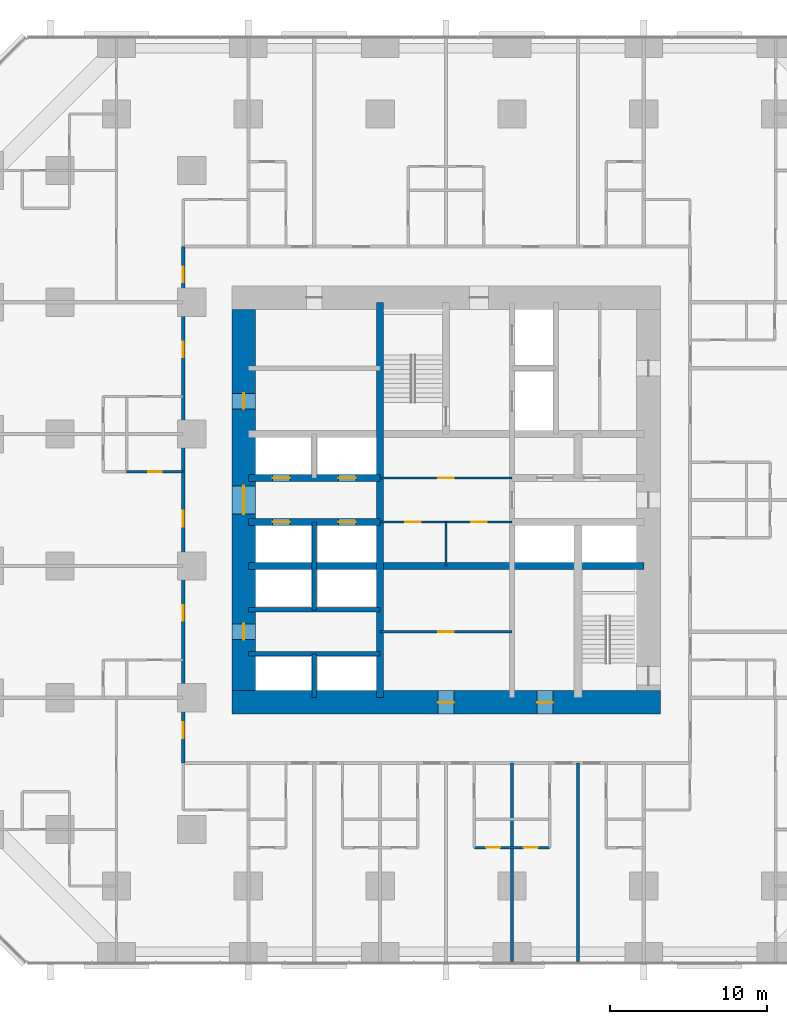
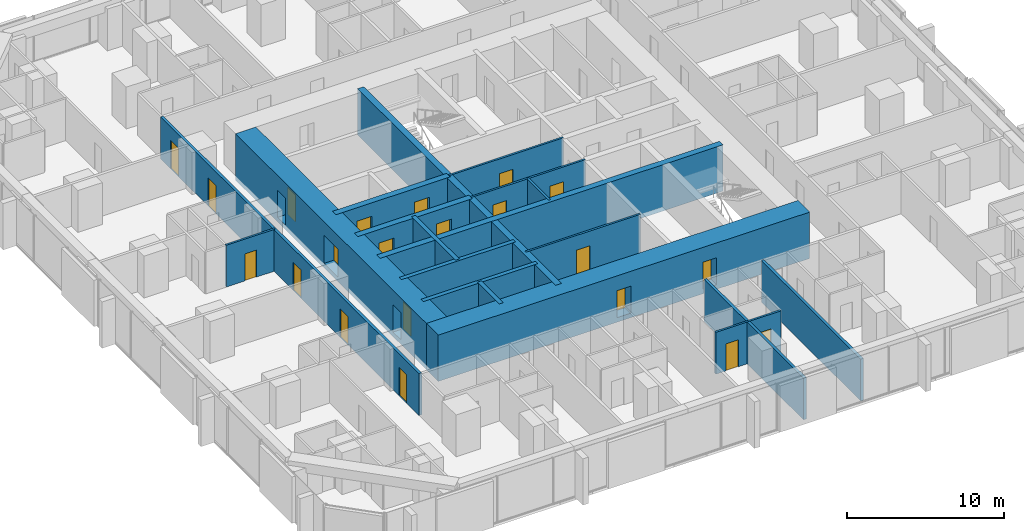
# One storey, part 12 of 17: 21 doors, 19 walls, 21 openings.
"""IFC4 building model written with IfcOpenShell, lengths in metres."""

from ifc_helpers import new_model, si_unit, direction, frame, frame_2d, origin, place, context, subcontext, project, spatial, rectangle, extrude, material, layer, layer_set, type_object, element, fill, save


model = new_model("IFC4")

# Units and contexts
model_context = context("Model", 3, precision=1e-05, world=origin(), true_north=direction((0.0, 1.0)))
body_context = subcontext(model_context, "Body", "Model", "MODEL_VIEW")
ifc_project = project(units=[si_unit("LENGTHUNIT", "METRE"), si_unit("AREAUNIT", "SQUARE_METRE"), si_unit("VOLUMEUNIT", "CUBIC_METRE"), si_unit("PLANEANGLEUNIT", "RADIAN"), si_unit("MASSUNIT", "GRAM", prefix="KILO")], contexts=[model_context])

# Site, building, storey
site_placement = place(None, origin())
site = spatial("IfcSite", under=ifc_project, at=site_placement, CompositionType="ELEMENT")
building_placement = place(site_placement, origin())
building = spatial("IfcBuilding", under=site, at=building_placement, Name="Dunama Terrace Hotel", CompositionType="ELEMENT")
storey_placement = place(building_placement, frame((0.0, 0.0, 70.199951171875)))
storey = spatial("IfcBuildingStorey", under=building, at=storey_placement, Name="L17", CompositionType="ELEMENT", Elevation=70.199951171875)

# Wall, opening, door
ifc_material_1 = material(Name="Gypsum board partition", Category="masonry")
ifc_layer_1 = layer(ifc_material_1, 0.14990234375)
ifc_layer_set_1 = layer_set([ifc_layer_1], Name="Bathroom partition 150")
wall_type_1 = type_object("IfcWallType", Name="Bathroom partition 150", PredefinedType="PARTITIONING", material=ifc_layer_set_1)
wall_1_placement = place(storey_placement, frame((9.050048828125, 31.199951171875, 0.0), z_axis=(0.0, 0.0, 1.0), x_axis=(1.0, 0.0, 0.0)))
wall_1 = element("IfcWall", 1, at=wall_1_placement, inside=storey, type_object=wall_type_1, Name="Bathroom partition 150 L17", PredefinedType="PARTITIONING", context=body_context, shape_type="SweptSolid", body=[
    extrude(rectangle(XDim=3.599853515625, YDim=0.14990234375, at=frame_2d((1.7998046875, 0.0))), origin(), (0.0, 0.0, 1.0), 3.25),
])
opening_1_placement = place(wall_1_placement, frame((1.375, 0.0, 0.0)))
opening_1 = element("IfcOpeningElement", 2, at=opening_1_placement, cuts=wall_1, Name="Opening L17-19-055", PredefinedType="OPENING", context=body_context, shape_type="SweptSolid", body=[
    extrude(rectangle(XDim=0.85009765625, YDim=2.10009765625, at=frame_2d((0.425048828125, 1.050048828125))), frame((0.0, 0.0849609375, 0.0), z_axis=(0.0, -1.0, 0.0), x_axis=(1.0, 0.0, 0.0)), (0.0, 0.0, 1.0), 0.169921875),
])
ifc_material_2 = material(Name="Timber door with steel frame", Category="steel")
door_type_1 = type_object("IfcDoorType", Name="Bathroom door 850", OperationType="SINGLE_SWING_LEFT", PredefinedType="DOOR", material=ifc_material_2)
door_1_placement = place(opening_1_placement, origin())
door_1 = element("IfcDoor", 3, at=door_1_placement, inside=storey, type_object=door_type_1, Name="Door to en-suite bathroom L17-19-055, type D2", OperationType="SINGLE_SWING_RIGHT", OverallHeight=2.10009765625, OverallWidth=0.85009765625, PredefinedType="DOOR", context=body_context, shape_type="SweptSolid", body=[
    extrude(rectangle(XDim=0.85009765625, YDim=2.10009765625, at=frame_2d((0.425048828125, 1.050048828125))), frame((0.0, 0.02490234375, 0.0), z_axis=(0.0, -1.0, 0.0), x_axis=(1.0, 0.0, 0.0)), (0.0, 0.0, 1.0), 0.050048828125),
])
fill(opening_1, door_1)

# Walls
ifc_material_3 = material(Name="Concrete C50/60", Category="concrete")
ifc_layer_2 = layer(ifc_material_3, 0.300048828125)
ifc_layer_set_2 = layer_set([ifc_layer_2], Name="Core inner wall 300")
wall_type_2 = type_object("IfcWallType", Name="Core inner wall 300", PredefinedType="SHEAR", material=ifc_layer_set_2)
wall_2_placement = place(storey_placement, frame((21.0, 16.800048828125, -0.349853515625), z_axis=(0.0, 0.0, 1.0), x_axis=(0.0, 1.0, 0.0)))
element("IfcWall", 4, at=wall_2_placement, inside=storey, type_object=wall_type_2, Name="Core inner wall 300 L17", PredefinedType="SHEAR", context=body_context, shape_type="SweptSolid", body=[
    extrude(rectangle(XDim=2.800048828125, YDim=0.300048828125, at=frame_2d((1.39990234375, 0.0))), origin(), (0.0, 0.0, 1.0), 3.599853515625),
])
wall_3_placement = place(storey_placement, frame((21.0, 22.39990234375, -0.349853515625), z_axis=(0.0, 0.0, 1.0), x_axis=(0.0, 1.0, 0.0)))
element("IfcWall", 5, at=wall_3_placement, inside=storey, type_object=wall_type_2, Name="Core inner wall 300 L17", PredefinedType="SHEAR", context=body_context, shape_type="SweptSolid", body=[
    extrude(rectangle(XDim=5.60009765625, YDim=0.300048828125, at=frame_2d((2.800048828125, 0.0))), origin(), (0.0, 0.0, 1.0), 3.599853515625),
])
for number, where, z_axis, x_axis, name in (
    (6, (16.800048828125, 19.60009765625, -0.349853515625), (0.0, 0.0, 1.0), (1.0, 0.0, 0.0), "Core inner wall 300 L17"),
    (7, (16.800048828125, 22.39990234375, -0.349853515625), (0.0, 0.0, 1.0), (1.0, 0.0, 0.0), "Core inner wall 300 L17"),
):
    element("IfcWall", number, at=place(storey_placement, frame(where, z_axis=z_axis, x_axis=x_axis)), inside=storey, type_object=wall_type_2, Name=name, PredefinedType="SHEAR", context=body_context, shape_type="SweptSolid", body=[
        extrude(rectangle(XDim=8.39990234375, YDim=0.300048828125, at=frame_2d((4.199951171875, 0.0))), origin(), (0.0, 0.0, 1.0), 3.599853515625),
    ])
ifc_material_4 = material(Name="Concrete C50/60", Category="concrete")
ifc_layer_3 = layer(ifc_material_4, 0.449951171875)
ifc_layer_set_3 = layer_set([ifc_layer_3], Name="Core inner wall 450")
wall_type_3 = type_object("IfcWallType", Name="Core inner wall 450", PredefinedType="SHEAR", material=ifc_layer_set_3)
for number, where, z_axis, x_axis, name in (
    (8, (25.199951171875, 16.800048828125, -0.349853515625), (0.0, 0.0, 1.0), (0.0, 1.0, 0.0), "Core inner wall 450 L17"),
    (9, (16.800048828125, 25.199951171875, -0.349853515625), (0.0, 0.0, 1.0), (1.0, 0.0, 0.0), "Core inner wall 450 L17"),
):
    element("IfcWall", number, at=place(storey_placement, frame(where, z_axis=z_axis, x_axis=x_axis)), inside=storey, type_object=wall_type_3, Name=name, PredefinedType="SHEAR", context=body_context, shape_type="SweptSolid", body=[
        extrude(rectangle(XDim=25.199951171875, YDim=0.449951171875, at=frame_2d((12.60009765625, 0.0))), origin(), (0.0, 0.0, 1.0), 3.599853515625),
    ])

# Wall, openings, doors
wall_4_placement = place(storey_placement, frame((16.800048828125, 28.0, -0.349853515625), z_axis=(0.0, 0.0, 1.0), x_axis=(1.0, 0.0, 0.0)))
wall_4 = element("IfcWall", 10, at=wall_4_placement, inside=storey, type_object=wall_type_3, Name="Core inner wall 450 L17", PredefinedType="SHEAR", context=body_context, shape_type="SweptSolid", body=[
    extrude(rectangle(XDim=8.39990234375, YDim=0.449951171875, at=frame_2d((4.199951171875, 0.0))), origin(), (0.0, 0.0, 1.0), 3.599853515625),
])
opening_2_placement = place(wall_4_placement, frame((1.550048828125, 0.0, 0.35009765625)))
opening_2 = element("IfcOpeningElement", 11, at=opening_2_placement, cuts=wall_4, Name="Opening L17-19-003", PredefinedType="OPENING", context=body_context, shape_type="SweptSolid", body=[
    extrude(rectangle(XDim=1.10009765625, YDim=2.199951171875, at=frame_2d((0.550048828125, 1.10009765625))), frame((0.0, 0.23486328125, 0.0), z_axis=(0.0, -1.0, 0.0), x_axis=(1.0, 0.0, 0.0)), (0.0, 0.0, 1.0), 0.469970703125),
])
opening_3_placement = place(wall_4_placement, frame((5.75, 0.0, 0.35009765625)))
opening_3 = element("IfcOpeningElement", 12, at=opening_3_placement, cuts=wall_4, Name="Opening L17-19-004", PredefinedType="OPENING", context=body_context, shape_type="SweptSolid", body=[
    extrude(rectangle(XDim=1.10009765625, YDim=2.199951171875, at=frame_2d((0.550048828125, 1.10009765625))), frame((0.0, 0.23486328125, 0.0), z_axis=(0.0, -1.0, 0.0), x_axis=(1.0, 0.0, 0.0)), (0.0, 0.0, 1.0), 0.469970703125),
])
ifc_material_5 = material(Name="Stainless steel lift door", Category="steel")
door_type_2 = type_object("IfcDoorType", Name="Lift landing door 1100", OperationType="DOUBLE_DOOR_SLIDING", PredefinedType="DOOR", material=ifc_material_5)
door_2_placement = place(opening_2_placement, origin())
door_2 = element("IfcDoor", 13, at=door_2_placement, inside=storey, type_object=door_type_2, Name="Landing door PA1 L17-19-003, type LD1", OperationType="DOUBLE_DOOR_SLIDING", OverallHeight=2.199951171875, OverallWidth=1.10009765625, PredefinedType="DOOR", context=body_context, shape_type="SweptSolid", body=[
    extrude(rectangle(XDim=1.10009765625, YDim=2.199951171875, at=frame_2d((0.550048828125, 1.10009765625))), frame((0.0, 0.02490234375, 0.0), z_axis=(0.0, -1.0, 0.0), x_axis=(1.0, 0.0, 0.0)), (0.0, 0.0, 1.0), 0.050048828125),
])
fill(opening_2, door_2)
door_3_placement = place(opening_3_placement, origin())
door_3 = element("IfcDoor", 14, at=door_3_placement, inside=storey, type_object=door_type_2, Name="Landing door PA2 L17-19-004, type LD1", OperationType="DOUBLE_DOOR_SLIDING", OverallHeight=2.199951171875, OverallWidth=1.10009765625, PredefinedType="DOOR", context=body_context, shape_type="SweptSolid", body=[
    extrude(rectangle(XDim=1.10009765625, YDim=2.199951171875, at=frame_2d((0.550048828125, 1.10009765625))), frame((0.0, 0.02490234375, 0.0), z_axis=(0.0, -1.0, 0.0), x_axis=(1.0, 0.0, 0.0)), (0.0, 0.0, 1.0), 0.050048828125),
])
fill(opening_3, door_3)

wall_5_placement = place(storey_placement, frame((16.800048828125, 30.800048828125, -0.349853515625), z_axis=(0.0, 0.0, 1.0), x_axis=(1.0, 0.0, 0.0)))
wall_5 = element("IfcWall", 15, at=wall_5_placement, inside=storey, type_object=wall_type_3, Name="Core inner wall 450 L17", PredefinedType="SHEAR", context=body_context, shape_type="SweptSolid", body=[
    extrude(rectangle(XDim=8.39990234375, YDim=0.449951171875, at=frame_2d((4.199951171875, 0.0))), origin(), (0.0, 0.0, 1.0), 3.599853515625),
])
opening_4_placement = place(wall_5_placement, frame((1.550048828125, 0.0, 0.35009765625)))
opening_4 = element("IfcOpeningElement", 16, at=opening_4_placement, cuts=wall_5, Name="Opening L17-19-005", PredefinedType="OPENING", context=body_context, shape_type="SweptSolid", body=[
    extrude(rectangle(XDim=1.10009765625, YDim=2.199951171875, at=frame_2d((0.550048828125, 1.10009765625))), frame((0.0, 0.23486328125, 0.0), z_axis=(0.0, -1.0, 0.0), x_axis=(1.0, 0.0, 0.0)), (0.0, 0.0, 1.0), 0.469970703125),
])
opening_5_placement = place(wall_5_placement, frame((5.75, 0.0, 0.35009765625)))
opening_5 = element("IfcOpeningElement", 17, at=opening_5_placement, cuts=wall_5, Name="Opening L17-19-006", PredefinedType="OPENING", context=body_context, shape_type="SweptSolid", body=[
    extrude(rectangle(XDim=1.10009765625, YDim=2.199951171875, at=frame_2d((0.550048828125, 1.10009765625))), frame((0.0, 0.23486328125, 0.0), z_axis=(0.0, -1.0, 0.0), x_axis=(1.0, 0.0, 0.0)), (0.0, 0.0, 1.0), 0.469970703125),
])
door_4_placement = place(opening_4_placement, origin())
door_4 = element("IfcDoor", 18, at=door_4_placement, inside=storey, type_object=door_type_2, Name="Landing door PA3 L17-19-005, type LD1", OperationType="DOUBLE_DOOR_SLIDING", OverallHeight=2.199951171875, OverallWidth=1.10009765625, PredefinedType="DOOR", context=body_context, shape_type="SweptSolid", body=[
    extrude(rectangle(XDim=1.10009765625, YDim=2.199951171875, at=frame_2d((0.550048828125, 1.10009765625))), frame((0.0, 0.02490234375, 0.0), z_axis=(0.0, -1.0, 0.0), x_axis=(1.0, 0.0, 0.0)), (0.0, 0.0, 1.0), 0.050048828125),
])
fill(opening_4, door_4)
door_5_placement = place(opening_5_placement, origin())
door_5 = element("IfcDoor", 19, at=door_5_placement, inside=storey, type_object=door_type_2, Name="Landing door PA4 L17-19-006, type LD1", OperationType="DOUBLE_DOOR_SLIDING", OverallHeight=2.199951171875, OverallWidth=1.10009765625, PredefinedType="DOOR", context=body_context, shape_type="SweptSolid", body=[
    extrude(rectangle(XDim=1.10009765625, YDim=2.199951171875, at=frame_2d((0.550048828125, 1.10009765625))), frame((0.0, 0.02490234375, 0.0), z_axis=(0.0, -1.0, 0.0), x_axis=(1.0, 0.0, 0.0)), (0.0, 0.0, 1.0), 0.050048828125),
])
fill(opening_5, door_5)

ifc_material_6 = material(Name="Concrete C60/75", Category="concrete")
ifc_layer_4 = layer(ifc_material_6, 1.5)
ifc_layer_set_4 = layer_set([ifc_layer_4], Name="Core wall 1500")
wall_type_4 = type_object("IfcWallType", Name="Core wall 1500", PredefinedType="SHEAR", material=ifc_layer_set_4)
wall_6_placement = place(storey_placement, frame((15.75, 16.5, -0.349853515625), z_axis=(0.0, 0.0, 1.0), x_axis=(1.0, 0.0, 0.0)))
wall_6 = element("IfcWall", 20, at=wall_6_placement, inside=storey, type_object=wall_type_4, Name="Core wall south L17", PredefinedType="SHEAR", context=body_context, shape_type="SweptSolid", body=[
    extrude(rectangle(XDim=27.300048828125, YDim=1.5, at=frame_2d((13.64990234375, 0.0))), origin(), (0.0, 0.0, 1.0), 3.599853515625),
])
opening_6_placement = place(wall_6_placement, frame((13.14990234375, 0.0, 0.35009765625)))
opening_6 = element("IfcOpeningElement", 21, at=opening_6_placement, cuts=wall_6, Name="Opening L17-19-098", PredefinedType="OPENING", context=body_context, shape_type="SweptSolid", body=[
    extrude(rectangle(XDim=1.0, YDim=2.10009765625, at=frame_2d((0.5, 1.050048828125))), frame((0.0, 0.760009765625, 0.0), z_axis=(0.0, -1.0, 0.0), x_axis=(1.0, 0.0, 0.0)), (0.0, 0.0, 1.0), 1.52001953125),
])
opening_7_placement = place(wall_6_placement, frame((19.449951171875, 0.0, 0.35009765625)))
opening_7 = element("IfcOpeningElement", 22, at=opening_7_placement, cuts=wall_6, Name="Opening L17-19-100", PredefinedType="OPENING", context=body_context, shape_type="SweptSolid", body=[
    extrude(rectangle(XDim=1.0, YDim=2.10009765625, at=frame_2d((0.5, 1.050048828125))), frame((0.0, 0.760009765625, 0.0), z_axis=(0.0, -1.0, 0.0), x_axis=(1.0, 0.0, 0.0)), (0.0, 0.0, 1.0), 1.52001953125),
])
ifc_material_7 = material(Name="Timber door with steel frame", Category="steel")
door_type_3 = type_object("IfcDoorType", Name="Service door 1000", OperationType="SINGLE_SWING_LEFT", PredefinedType="DOOR", material=ifc_material_7)
door_6_placement = place(opening_6_placement, origin())
door_6 = element("IfcDoor", 23, at=door_6_placement, inside=storey, type_object=door_type_3, Name="Door to corridor air handling room L17-19-098, type D7", OperationType="SINGLE_SWING_LEFT", OverallHeight=2.10009765625, OverallWidth=1.0, PredefinedType="DOOR", context=body_context, shape_type="SweptSolid", body=[
    extrude(rectangle(XDim=1.0, YDim=2.10009765625, at=frame_2d((0.5, 1.050048828125))), frame((0.0, 0.02490234375, 0.0), z_axis=(0.0, -1.0, 0.0), x_axis=(1.0, 0.0, 0.0)), (0.0, 0.0, 1.0), 0.050048828125),
])
fill(opening_6, door_6)
door_7_placement = place(opening_7_placement, origin())
door_7 = element("IfcDoor", 24, at=door_7_placement, inside=storey, type_object=door_type_3, Name="Door to water riser room L17-19-100, type D7", OperationType="SINGLE_SWING_RIGHT", OverallHeight=2.10009765625, OverallWidth=1.0, PredefinedType="DOOR", context=body_context, shape_type="SweptSolid", body=[
    extrude(rectangle(XDim=1.0, YDim=2.10009765625, at=frame_2d((0.5, 1.050048828125))), frame((0.0, 0.02490234375, 0.0), z_axis=(0.0, -1.0, 0.0), x_axis=(1.0, 0.0, 0.0)), (0.0, 0.0, 1.0), 0.050048828125),
])
fill(opening_7, door_7)

wall_7_placement = place(storey_placement, frame((16.5, 41.550048828125, -0.349853515625), z_axis=(0.0, 0.0, 1.0), x_axis=(0.0, -1.0, 0.0)))
wall_7 = element("IfcWall", 25, at=wall_7_placement, inside=storey, type_object=wall_type_4, Name="Core wall west L17", PredefinedType="SHEAR", context=body_context, shape_type="SweptSolid", body=[
    extrude(rectangle(XDim=24.300048828125, YDim=1.5, at=frame_2d((12.14990234375, 0.0))), origin(), (0.0, 0.0, 1.0), 3.599853515625),
])
opening_8_placement = place(wall_7_placement, frame((11.25, 0.0, 0.35009765625)))
opening_8 = element("IfcOpeningElement", 26, at=opening_8_placement, cuts=wall_7, Name="Opening L17-19-084", PredefinedType="OPENING", context=body_context, shape_type="SweptSolid", body=[
    extrude(rectangle(XDim=1.800048828125, YDim=2.199951171875, at=frame_2d((0.89990234375, 1.10009765625))), frame((0.0, 0.760009765625, 0.0), z_axis=(0.0, -1.0, 0.0), x_axis=(1.0, 0.0, 0.0)), (0.0, 0.0, 1.0), 1.52001953125),
])
opening_9_placement = place(wall_7_placement, frame((20.050048828125, 0.0, 0.35009765625)))
opening_9 = element("IfcOpeningElement", 27, at=opening_9_placement, cuts=wall_7, Name="Opening L17-19-085", PredefinedType="OPENING", context=body_context, shape_type="SweptSolid", body=[
    extrude(rectangle(XDim=1.0, YDim=2.10009765625, at=frame_2d((0.5, 1.050048828125))), frame((0.0, 0.760009765625, 0.0), z_axis=(0.0, -1.0, 0.0), x_axis=(1.0, 0.0, 0.0)), (0.0, 0.0, 1.0), 1.52001953125),
])
opening_10_placement = place(wall_7_placement, frame((5.35009765625, 0.0, 0.35009765625)))
opening_10 = element("IfcOpeningElement", 28, at=opening_10_placement, cuts=wall_7, Name="Opening L17-19-086", PredefinedType="OPENING", context=body_context, shape_type="SweptSolid", body=[
    extrude(rectangle(XDim=1.0, YDim=2.10009765625, at=frame_2d((0.5, 1.050048828125))), frame((0.0, 0.760009765625, 0.0), z_axis=(0.0, -1.0, 0.0), x_axis=(1.0, 0.0, 0.0)), (0.0, 0.0, 1.0), 1.52001953125),
])
ifc_material_8 = material(Name="Timber door with steel frame", Category="steel")
door_type_4 = type_object("IfcDoorType", Name="Lift lobby double door 1800", OperationType="DOUBLE_DOOR_DOUBLE_SWING", PredefinedType="DOOR", material=ifc_material_8)
door_8_placement = place(opening_8_placement, origin())
door_8 = element("IfcDoor", 29, at=door_8_placement, inside=storey, type_object=door_type_4, Name="Door to lift lobby L17-19-084, type D3", OperationType="DOUBLE_DOOR_DOUBLE_SWING", OverallHeight=2.199951171875, OverallWidth=1.800048828125, PredefinedType="DOOR", context=body_context, shape_type="SweptSolid", body=[
    extrude(rectangle(XDim=1.800048828125, YDim=2.199951171875, at=frame_2d((0.89990234375, 1.10009765625))), frame((0.0, 0.02490234375, 0.0), z_axis=(0.0, -1.0, 0.0), x_axis=(1.0, 0.0, 0.0)), (0.0, 0.0, 1.0), 0.050048828125),
])
fill(opening_8, door_8)
door_9_placement = place(opening_9_placement, origin())
door_9 = element("IfcDoor", 30, at=door_9_placement, inside=storey, type_object=door_type_3, Name="Door to service lobby L17-19-085, type D7", OperationType="SINGLE_SWING_RIGHT", OverallHeight=2.10009765625, OverallWidth=1.0, PredefinedType="DOOR", context=body_context, shape_type="SweptSolid", body=[
    extrude(rectangle(XDim=1.0, YDim=2.10009765625, at=frame_2d((0.5, 1.050048828125))), frame((0.0, 0.02490234375, 0.0), z_axis=(0.0, -1.0, 0.0), x_axis=(1.0, 0.0, 0.0)), (0.0, 0.0, 1.0), 0.050048828125),
])
fill(opening_9, door_9)
door_10_placement = place(opening_10_placement, origin())
door_10 = element("IfcDoor", 31, at=door_10_placement, inside=storey, type_object=door_type_3, Name="Door to electrical room L17-19-086, type D7", OperationType="SINGLE_SWING_RIGHT", OverallHeight=2.10009765625, OverallWidth=1.0, PredefinedType="DOOR", context=body_context, shape_type="SweptSolid", body=[
    extrude(rectangle(XDim=1.0, YDim=2.10009765625, at=frame_2d((0.5, 1.050048828125))), frame((0.0, 0.02490234375, 0.0), z_axis=(0.0, -1.0, 0.0), x_axis=(1.0, 0.0, 0.0)), (0.0, 0.0, 1.0), 0.050048828125),
])
fill(opening_10, door_10)

ifc_material_9 = material(Name="Concrete blockwork", Category="masonry")
ifc_layer_5 = layer(ifc_material_9, 0.199951171875)
ifc_layer_set_5 = layer_set([ifc_layer_5], Name="Corridor partition 200")
wall_type_5 = type_object("IfcWallType", Name="Corridor partition 200", PredefinedType="PARTITIONING", material=ifc_layer_set_5)
wall_8_placement = place(storey_placement, frame((12.64990234375, 12.64990234375, 0.0), z_axis=(0.0, 0.0, 1.0), x_axis=(0.0, 1.0, 0.0)))
wall_8 = element("IfcWall", 32, at=wall_8_placement, inside=storey, type_object=wall_type_5, Name="Corridor partition 200 L17", PredefinedType="PARTITIONING", context=body_context, shape_type="SweptSolid", body=[
    extrude(rectangle(XDim=32.900146484375, YDim=0.199951171875, at=frame_2d((16.4501953125, 0.0))), origin(), (0.0, 0.0, 1.0), 3.25),
])
opening_11_placement = place(wall_8_placement, frame((9.050048828125, 0.0, 0.0)))
opening_11 = element("IfcOpeningElement", 33, at=opening_11_placement, cuts=wall_8, Name="Opening L17-19-051", PredefinedType="OPENING", context=body_context, shape_type="SweptSolid", body=[
    extrude(rectangle(XDim=1.0, YDim=2.199951171875, at=frame_2d((0.5, 1.10009765625))), frame((0.0, 0.10986328125, 0.0), z_axis=(0.0, -1.0, 0.0), x_axis=(1.0, 0.0, 0.0)), (0.0, 0.0, 1.0), 0.219970703125),
])
opening_12_placement = place(wall_8_placement, frame((15.050048828125, 0.0, 0.0)))
opening_12 = element("IfcOpeningElement", 34, at=opening_12_placement, cuts=wall_8, Name="Opening L17-19-054", PredefinedType="OPENING", context=body_context, shape_type="SweptSolid", body=[
    extrude(rectangle(XDim=1.0, YDim=2.199951171875, at=frame_2d((0.5, 1.10009765625))), frame((0.0, 0.10986328125, 0.0), z_axis=(0.0, -1.0, 0.0), x_axis=(1.0, 0.0, 0.0)), (0.0, 0.0, 1.0), 0.219970703125),
])
opening_13_placement = place(wall_8_placement, frame((25.85009765625, 0.0, 0.0)))
opening_13 = element("IfcOpeningElement", 35, at=opening_13_placement, cuts=wall_8, Name="Opening L17-19-057", PredefinedType="OPENING", context=body_context, shape_type="SweptSolid", body=[
    extrude(rectangle(XDim=1.0, YDim=2.199951171875, at=frame_2d((0.5, 1.10009765625))), frame((0.0, 0.10986328125, 0.0), z_axis=(0.0, -1.0, 0.0), x_axis=(1.0, 0.0, 0.0)), (0.0, 0.0, 1.0), 0.219970703125),
])
opening_14_placement = place(wall_8_placement, frame((1.574951171875, 0.0, 0.0)))
opening_14 = element("IfcOpeningElement", 36, at=opening_14_placement, cuts=wall_8, Name="Opening L17-19-060", PredefinedType="OPENING", context=body_context, shape_type="SweptSolid", body=[
    extrude(rectangle(XDim=1.0, YDim=2.199951171875, at=frame_2d((0.5, 1.10009765625))), frame((0.0, 0.10986328125, 0.0), z_axis=(0.0, -1.0, 0.0), x_axis=(1.0, 0.0, 0.0)), (0.0, 0.0, 1.0), 0.219970703125),
])
opening_15_placement = place(wall_8_placement, frame((30.625, 0.0, 0.0)))
opening_15 = element("IfcOpeningElement", 37, at=opening_15_placement, cuts=wall_8, Name="Opening L17-19-078", PredefinedType="OPENING", context=body_context, shape_type="SweptSolid", body=[
    extrude(rectangle(XDim=1.0, YDim=2.199951171875, at=frame_2d((0.5, 1.10009765625))), frame((0.0, 0.10986328125, 0.0), z_axis=(0.0, -1.0, 0.0), x_axis=(1.0, 0.0, 0.0)), (0.0, 0.0, 1.0), 0.219970703125),
])
ifc_material_10 = material(Name="Timber door with steel frame", Category="steel")
door_type_5 = type_object("IfcDoorType", Name="Guest room door 1000", OperationType="SINGLE_SWING_LEFT", PredefinedType="DOOR", material=ifc_material_10)
door_11_placement = place(opening_11_placement, origin())
door_11 = element("IfcDoor", 38, at=door_11_placement, inside=storey, type_object=door_type_5, Name="Door to junior suite L17-19-051, type D1", OperationType="SINGLE_SWING_RIGHT", OverallHeight=2.199951171875, OverallWidth=1.0, PredefinedType="DOOR", context=body_context, shape_type="SweptSolid", body=[
    extrude(rectangle(XDim=1.0, YDim=2.199951171875, at=frame_2d((0.5, 1.10009765625))), frame((0.0, 0.02490234375, 0.0), z_axis=(0.0, -1.0, 0.0), x_axis=(1.0, 0.0, 0.0)), (0.0, 0.0, 1.0), 0.050048828125),
])
fill(opening_11, door_11)
door_12_placement = place(opening_12_placement, origin())
door_12 = element("IfcDoor", 39, at=door_12_placement, inside=storey, type_object=door_type_5, Name="Door to junior suite L17-19-054, type D1", OperationType="SINGLE_SWING_LEFT", OverallHeight=2.199951171875, OverallWidth=1.0, PredefinedType="DOOR", context=body_context, shape_type="SweptSolid", body=[
    extrude(rectangle(XDim=1.0, YDim=2.199951171875, at=frame_2d((0.5, 1.10009765625))), frame((0.0, 0.02490234375, 0.0), z_axis=(0.0, -1.0, 0.0), x_axis=(1.0, 0.0, 0.0)), (0.0, 0.0, 1.0), 0.050048828125),
])
fill(opening_12, door_12)
door_13_placement = place(opening_13_placement, origin())
door_13 = element("IfcDoor", 40, at=door_13_placement, inside=storey, type_object=door_type_5, Name="Door to junior suite L17-19-057, type D1", OperationType="SINGLE_SWING_RIGHT", OverallHeight=2.199951171875, OverallWidth=1.0, PredefinedType="DOOR", context=body_context, shape_type="SweptSolid", body=[
    extrude(rectangle(XDim=1.0, YDim=2.199951171875, at=frame_2d((0.5, 1.10009765625))), frame((0.0, 0.02490234375, 0.0), z_axis=(0.0, -1.0, 0.0), x_axis=(1.0, 0.0, 0.0)), (0.0, 0.0, 1.0), 0.050048828125),
])
fill(opening_13, door_13)
door_14_placement = place(opening_14_placement, origin())
door_14 = element("IfcDoor", 41, at=door_14_placement, inside=storey, type_object=door_type_5, Name="Door to corner suite living room L17-19-060, type D1", OperationType="SINGLE_SWING_RIGHT", OverallHeight=2.199951171875, OverallWidth=1.0, PredefinedType="DOOR", context=body_context, shape_type="SweptSolid", body=[
    extrude(rectangle(XDim=1.0, YDim=2.199951171875, at=frame_2d((0.5, 1.10009765625))), frame((0.0, 0.02490234375, 0.0), z_axis=(0.0, -1.0, 0.0), x_axis=(1.0, 0.0, 0.0)), (0.0, 0.0, 1.0), 0.050048828125),
])
fill(opening_14, door_14)
door_15_placement = place(opening_15_placement, origin())
door_15 = element("IfcDoor", 42, at=door_15_placement, inside=storey, type_object=door_type_5, Name="Door to corner suite living room L17-19-078, type D1", OperationType="SINGLE_SWING_LEFT", OverallHeight=2.199951171875, OverallWidth=1.0, PredefinedType="DOOR", context=body_context, shape_type="SweptSolid", body=[
    extrude(rectangle(XDim=1.0, YDim=2.199951171875, at=frame_2d((0.5, 1.10009765625))), frame((0.0, 0.02490234375, 0.0), z_axis=(0.0, -1.0, 0.0), x_axis=(1.0, 0.0, 0.0)), (0.0, 0.0, 1.0), 0.050048828125),
])
fill(opening_15, door_15)

# Walls
ifc_material_11 = material(Name="Concrete blockwork", Category="masonry")
ifc_layer_6 = layer(ifc_material_11, 0.199951171875)
ifc_layer_set_6 = layer_set([ifc_layer_6], Name="Party wall 200")
wall_type_6 = type_object("IfcWallType", Name="Party wall 200", PredefinedType="PARTITIONING", material=ifc_layer_set_6)
for number, where, z_axis, x_axis, name in (
    (43, (33.60009765625, -0.008056640625, 0.0), (0.0, 0.0, 1.0), (0.0, 1.0, 0.0), "Party wall 200 L17"),
    (44, (37.800048828125, -0.008056640625, 0.0), (0.0, 0.0, 1.0), (0.0, 1.0, 0.0), "Party wall 200 L17"),
):
    element("IfcWall", number, at=place(storey_placement, frame(where, z_axis=z_axis, x_axis=x_axis)), inside=storey, type_object=wall_type_6, Name=name, PredefinedType="PARTITIONING", context=body_context, shape_type="SweptSolid", body=[
        extrude(rectangle(XDim=12.657958984375, YDim=0.199951171875, at=frame_2d((6.3291015625, 0.0))), origin(), (0.0, 0.0, 1.0), 3.25),
    ])
ifc_material_12 = material(Name="Gypsum board partition", Category="masonry")
ifc_layer_7 = layer(ifc_material_12, 0.14990234375)
ifc_layer_set_7 = layer_set([ifc_layer_7], Name="Room partition 150")
wall_type_7 = type_object("IfcWallType", Name="Room partition 150", PredefinedType="PARTITIONING", material=ifc_layer_set_7)
wall_9_placement = place(storey_placement, frame((29.39990234375, 25.199951171875, 0.0), z_axis=(0.0, 0.0, 1.0), x_axis=(0.0, 1.0, 0.0)))
element("IfcWall", 45, at=wall_9_placement, inside=storey, type_object=wall_type_7, Name="Room partition 150 L17", PredefinedType="PARTITIONING", context=body_context, shape_type="SweptSolid", body=[
    extrude(rectangle(XDim=2.800048828125, YDim=0.14990234375, at=frame_2d((1.39990234375, 0.0))), origin(), (0.0, 0.0, 1.0), 3.25),
])

# Wall, openings, doors
wall_10_placement = place(storey_placement, frame((31.199951171875, 7.25, 0.0), z_axis=(0.0, 0.0, 1.0), x_axis=(1.0, 0.0, 0.0)))
wall_10 = element("IfcWall", 46, at=wall_10_placement, inside=storey, type_object=wall_type_7, Name="Room partition 150 L17", PredefinedType="PARTITIONING", context=body_context, shape_type="SweptSolid", body=[
    extrude(rectangle(XDim=4.800048828125, YDim=0.14990234375, at=frame_2d((2.39990234375, 0.0))), origin(), (0.0, 0.0, 1.0), 3.25),
])
opening_16_placement = place(wall_10_placement, frame((0.75, 0.0, 0.0)))
opening_16 = element("IfcOpeningElement", 47, at=opening_16_placement, cuts=wall_10, Name="Opening L17-19-020", PredefinedType="OPENING", context=body_context, shape_type="SweptSolid", body=[
    extrude(rectangle(XDim=0.89990234375, YDim=2.10009765625, at=frame_2d((0.449951171875, 1.050048828125))), frame((0.0, 0.0849609375, 0.0), z_axis=(0.0, -1.0, 0.0), x_axis=(1.0, 0.0, 0.0)), (0.0, 0.0, 1.0), 0.169921875),
])
opening_17_placement = place(wall_10_placement, frame((3.14990234375, 0.0, 0.0)))
opening_17 = element("IfcOpeningElement", 48, at=opening_17_placement, cuts=wall_10, Name="Opening L17-19-023", PredefinedType="OPENING", context=body_context, shape_type="SweptSolid", body=[
    extrude(rectangle(XDim=0.89990234375, YDim=2.10009765625, at=frame_2d((0.449951171875, 1.050048828125))), frame((0.0, 0.0849609375, 0.0), z_axis=(0.0, -1.0, 0.0), x_axis=(1.0, 0.0, 0.0)), (0.0, 0.0, 1.0), 0.169921875),
])
ifc_material_13 = material(Name="Timber door with steel frame", Category="steel")
door_type_6 = type_object("IfcDoorType", Name="Suite internal door 900", OperationType="SINGLE_SWING_LEFT", PredefinedType="DOOR", material=ifc_material_13)
door_16_placement = place(opening_16_placement, origin())
door_16 = element("IfcDoor", 49, at=door_16_placement, inside=storey, type_object=door_type_6, Name="Door to walk-in wardrobe L17-19-020, type D16", OperationType="SINGLE_SWING_RIGHT", OverallHeight=2.10009765625, OverallWidth=0.89990234375, PredefinedType="DOOR", context=body_context, shape_type="SweptSolid", body=[
    extrude(rectangle(XDim=0.89990234375, YDim=2.10009765625, at=frame_2d((0.449951171875, 1.050048828125))), frame((0.0, 0.02490234375, 0.0), z_axis=(0.0, -1.0, 0.0), x_axis=(1.0, 0.0, 0.0)), (0.0, 0.0, 1.0), 0.050048828125),
])
fill(opening_16, door_16)
door_17_placement = place(opening_17_placement, origin())
door_17 = element("IfcDoor", 50, at=door_17_placement, inside=storey, type_object=door_type_6, Name="Door to walk-in wardrobe L17-19-023, type D16", OperationType="SINGLE_SWING_LEFT", OverallHeight=2.10009765625, OverallWidth=0.89990234375, PredefinedType="DOOR", context=body_context, shape_type="SweptSolid", body=[
    extrude(rectangle(XDim=0.89990234375, YDim=2.10009765625, at=frame_2d((0.449951171875, 1.050048828125))), frame((0.0, 0.02490234375, 0.0), z_axis=(0.0, -1.0, 0.0), x_axis=(1.0, 0.0, 0.0)), (0.0, 0.0, 1.0), 0.050048828125),
])
fill(opening_17, door_17)

# Wall, opening, door
wall_11_placement = place(storey_placement, frame((25.199951171875, 21.0, 0.0), z_axis=(0.0, 0.0, 1.0), x_axis=(1.0, 0.0, 0.0)))
wall_11 = element("IfcWall", 51, at=wall_11_placement, inside=storey, type_object=wall_type_7, Name="Room partition 150 L17", PredefinedType="PARTITIONING", context=body_context, shape_type="SweptSolid", body=[
    extrude(rectangle(XDim=8.400146484375, YDim=0.14990234375, at=frame_2d((4.2001953125, 0.0))), origin(), (0.0, 0.0, 1.0), 3.25),
])
opening_18_placement = place(wall_11_placement, frame((3.699951171875, 0.0, 0.0)))
opening_18 = element("IfcOpeningElement", 52, at=opening_18_placement, cuts=wall_11, Name="Opening L17-19-099", PredefinedType="OPENING", context=body_context, shape_type="SweptSolid", body=[
    extrude(rectangle(XDim=1.0, YDim=2.10009765625, at=frame_2d((0.5, 1.050048828125))), frame((0.0, 0.0849609375, 0.0), z_axis=(0.0, -1.0, 0.0), x_axis=(1.0, 0.0, 0.0)), (0.0, 0.0, 1.0), 0.169921875),
])
door_18_placement = place(opening_18_placement, origin())
door_18 = element("IfcDoor", 53, at=door_18_placement, inside=storey, type_object=door_type_3, Name="Door to stair pressurisation fan room L17-19-099, type D7", OperationType="SINGLE_SWING_LEFT", OverallHeight=2.10009765625, OverallWidth=1.0, PredefinedType="DOOR", context=body_context, shape_type="SweptSolid", body=[
    extrude(rectangle(XDim=1.0, YDim=2.10009765625, at=frame_2d((0.5, 1.050048828125))), frame((0.0, 0.02490234375, 0.0), z_axis=(0.0, -1.0, 0.0), x_axis=(1.0, 0.0, 0.0)), (0.0, 0.0, 1.0), 0.050048828125),
])
fill(opening_18, door_18)

# Wall, openings, doors
wall_12_placement = place(storey_placement, frame((25.199951171875, 28.0, 0.0), z_axis=(0.0, 0.0, 1.0), x_axis=(1.0, 0.0, 0.0)))
wall_12 = element("IfcWall", 54, at=wall_12_placement, inside=storey, type_object=wall_type_7, Name="Room partition 150 L17", PredefinedType="PARTITIONING", context=body_context, shape_type="SweptSolid", body=[
    extrude(rectangle(XDim=8.400146484375, YDim=0.14990234375, at=frame_2d((4.2001953125, 0.0))), origin(), (0.0, 0.0, 1.0), 3.25),
])
opening_19_placement = place(wall_12_placement, frame((5.800048828125, 0.0, 0.0)))
opening_19 = element("IfcOpeningElement", 55, at=opening_19_placement, cuts=wall_12, Name="Opening L17-19-089", PredefinedType="OPENING", context=body_context, shape_type="SweptSolid", body=[
    extrude(rectangle(XDim=1.0, YDim=2.10009765625, at=frame_2d((0.5, 1.050048828125))), frame((0.0, 0.0849609375, 0.0), z_axis=(0.0, -1.0, 0.0), x_axis=(1.0, 0.0, 0.0)), (0.0, 0.0, 1.0), 0.169921875),
])
opening_20_placement = place(wall_12_placement, frame((1.60009765625, 0.0, 0.0)))
opening_20 = element("IfcOpeningElement", 56, at=opening_20_placement, cuts=wall_12, Name="Opening L17-19-090", PredefinedType="OPENING", context=body_context, shape_type="SweptSolid", body=[
    extrude(rectangle(XDim=1.0, YDim=2.10009765625, at=frame_2d((0.5, 1.050048828125))), frame((0.0, 0.0849609375, 0.0), z_axis=(0.0, -1.0, 0.0), x_axis=(1.0, 0.0, 0.0)), (0.0, 0.0, 1.0), 0.169921875),
])
door_19_placement = place(opening_19_placement, frame((1.0, 0.0, 0.0), z_axis=(0.0, 0.0, 1.0), x_axis=(-1.0, 0.0, 0.0)))
door_19 = element("IfcDoor", 57, at=door_19_placement, inside=storey, type_object=door_type_3, Name="Door to it equipment room L17-19-089, type D7", OperationType="SINGLE_SWING_LEFT", OverallHeight=2.10009765625, OverallWidth=1.0, PredefinedType="DOOR", context=body_context, shape_type="SweptSolid", body=[
    extrude(rectangle(XDim=1.0, YDim=2.10009765625, at=frame_2d((0.5, 1.050048828125))), frame((0.0, 0.025146484375, 0.0), z_axis=(0.0, -1.0, 0.0), x_axis=(1.0, 0.0, 0.0)), (0.0, 0.0, 1.0), 0.050048828125),
])
fill(opening_19, door_19)
door_20_placement = place(opening_20_placement, frame((1.0, 0.0, 0.0), z_axis=(0.0, 0.0, 1.0), x_axis=(-1.0, 0.0, 0.0)))
door_20 = element("IfcDoor", 58, at=door_20_placement, inside=storey, type_object=door_type_3, Name="Door to staff accessible wc L17-19-090, type D7", OperationType="SINGLE_SWING_RIGHT", OverallHeight=2.10009765625, OverallWidth=1.0, PredefinedType="DOOR", context=body_context, shape_type="SweptSolid", body=[
    extrude(rectangle(XDim=1.0, YDim=2.10009765625, at=frame_2d((0.5, 1.050048828125))), frame((0.0, 0.025146484375, 0.0), z_axis=(0.0, -1.0, 0.0), x_axis=(1.0, 0.0, 0.0)), (0.0, 0.0, 1.0), 0.050048828125),
])
fill(opening_20, door_20)

# Wall, opening, door
wall_13_placement = place(storey_placement, frame((25.199951171875, 30.800048828125, 0.0), z_axis=(0.0, 0.0, 1.0), x_axis=(1.0, 0.0, 0.0)))
wall_13 = element("IfcWall", 59, at=wall_13_placement, inside=storey, type_object=wall_type_7, Name="Room partition 150 L17", PredefinedType="PARTITIONING", context=body_context, shape_type="SweptSolid", body=[
    extrude(rectangle(XDim=8.400146484375, YDim=0.14990234375, at=frame_2d((4.2001953125, 0.0))), origin(), (0.0, 0.0, 1.0), 3.25),
])
opening_21_placement = place(wall_13_placement, frame((3.699951171875, 0.0, 0.0)))
opening_21 = element("IfcOpeningElement", 60, at=opening_21_placement, cuts=wall_13, Name="Opening L17-19-091", PredefinedType="OPENING", context=body_context, shape_type="SweptSolid", body=[
    extrude(rectangle(XDim=1.0, YDim=2.10009765625, at=frame_2d((0.5, 1.050048828125))), frame((0.0, 0.0849609375, 0.0), z_axis=(0.0, -1.0, 0.0), x_axis=(1.0, 0.0, 0.0)), (0.0, 0.0, 1.0), 0.169921875),
])
door_21_placement = place(opening_21_placement, origin())
door_21 = element("IfcDoor", 61, at=door_21_placement, inside=storey, type_object=door_type_3, Name="Door to linen and housekeeping room L17-19-091, type D7", OperationType="SINGLE_SWING_LEFT", OverallHeight=2.10009765625, OverallWidth=1.0, PredefinedType="DOOR", context=body_context, shape_type="SweptSolid", body=[
    extrude(rectangle(XDim=1.0, YDim=2.10009765625, at=frame_2d((0.5, 1.050048828125))), frame((0.0, 0.02490234375, 0.0), z_axis=(0.0, -1.0, 0.0), x_axis=(1.0, 0.0, 0.0)), (0.0, 0.0, 1.0), 0.050048828125),
])
fill(opening_21, door_21)

save(model, "model.ifc")
